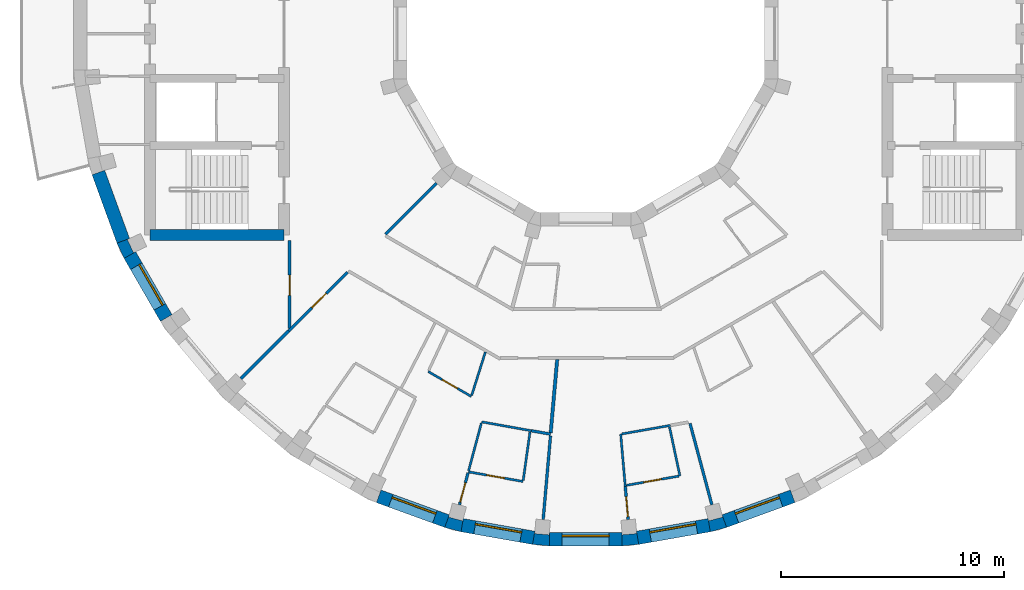
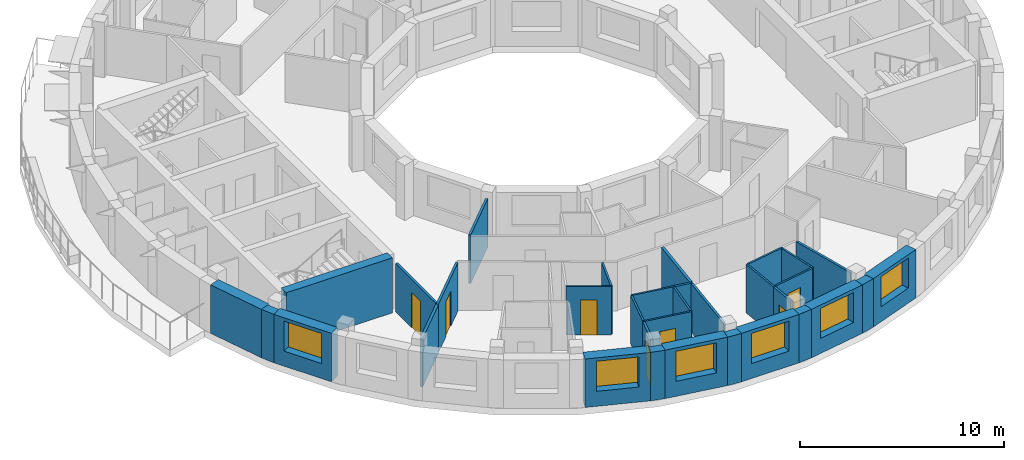
# One storey, part 2 of 10: 33 walls, 7 doors, 6 windows, 13 openings.
"""IFC4 building model written with IfcOpenShell, lengths in metres."""

from ifc_helpers import new_model, si_unit, direction, frame, frame_2d, origin, place, context, subcontext, project, spatial, polyline, rectangle, outline, extrude, material, layer, layer_set, type_object, element, fill, save


model = new_model("IFC4")

# Units and contexts
model_context = context("Model", 3, precision=1e-05, world=origin(), true_north=direction((0.0, 1.0)))
body_context = subcontext(model_context, "Body", "Model", "MODEL_VIEW")
ifc_project = project(units=[si_unit("LENGTHUNIT", "METRE"), si_unit("AREAUNIT", "SQUARE_METRE"), si_unit("VOLUMEUNIT", "CUBIC_METRE"), si_unit("PLANEANGLEUNIT", "RADIAN"), si_unit("MASSUNIT", "GRAM", prefix="KILO")], contexts=[model_context])

# Site, building, storey
site_placement = place(None, origin())
site = spatial("IfcSite", under=ifc_project, at=site_placement, CompositionType="ELEMENT")
building_placement = place(site_placement, origin())
building = spatial("IfcBuilding", under=site, at=building_placement, Name="Saqina Gate Tower", CompositionType="ELEMENT")
storey_placement = place(building_placement, frame((0.0, 0.0, 239.60009765625)))
storey = spatial("IfcBuildingStorey", under=building, at=storey_placement, Name="L68", CompositionType="ELEMENT", Elevation=239.60009765625)

# Walls
ifc_material_1 = material(Name="Brick masonry (buff)", Category="masonry")
wall_type_1 = type_object("IfcWallType", Name="BRICK PIER COPING BUFF", PredefinedType="SOLIDWALL", material=ifc_material_1)
wall_1_placement = place(storey_placement, origin())
element("IfcWall", 1, at=wall_1_placement, inside=storey, type_object=wall_type_1, Name="Pier cap L68 column 21", PredefinedType="SOLIDWALL", context=body_context, shape_type="SweptSolid", body=[
    extrude(outline(polyline([(-20.974609375, -9.3642578125), (-20.65576171875, -10.048095703125), (-20.135986328125, -9.748291015625), (-20.23193359375, -9.79296875), (-20.506591796875, -9.203857421875), (-20.410888671875, -9.1591796875), (-20.974609375, -9.3642578125)])), origin(), (0.0, 0.0, 1.0), 2.89990234375),
])
wall_2_placement = place(storey_placement, origin())
element("IfcWall", 2, at=wall_2_placement, inside=storey, type_object=wall_type_1, Name="Pier cap L68 column 26", PredefinedType="SOLIDWALL", context=body_context, shape_type="SweptSolid", body=[
    extrude(outline(polyline([(-5.579833984375, -22.281982421875), (-5.4755859375, -21.691162109375), (-5.5029296875, -21.793212890625), (-6.130859375, -21.625), (-6.103515625, -21.52294921875), (-6.30859375, -22.0869140625), (-5.579833984375, -22.281982421875)])), origin(), (0.0, 0.0, 1.0), 2.89990234375),
])
wall_3_placement = place(storey_placement, origin())
element("IfcWall", 3, at=wall_3_placement, inside=storey, type_object=wall_type_1, Name="Pier cap L68 column 27", PredefinedType="SOLIDWALL", context=body_context, shape_type="SweptSolid", body=[
    extrude(outline(polyline([(-2.377685546875, -22.8466796875), (-1.625732421875, -22.91259765625), (-1.625732421875, -22.3125), (-1.635009765625, -22.417724609375), (-2.28271484375, -22.361083984375), (-2.2734375, -22.255859375), (-2.377685546875, -22.8466796875)])), origin(), (0.0, 0.0, 1.0), 2.89990234375),
])
wall_4_placement = place(storey_placement, origin())
element("IfcWall", 4, at=wall_4_placement, inside=storey, type_object=wall_type_1, Name="Pier cap L68 column 28", PredefinedType="SOLIDWALL", context=body_context, shape_type="SweptSolid", body=[
    extrude(outline(polyline([(1.625732421875, -22.91259765625), (2.377685546875, -22.8466796875), (2.2734375, -22.255859375), (2.28271484375, -22.361083984375), (1.635009765625, -22.417724609375), (1.625732421875, -22.3125), (1.625732421875, -22.91259765625)])), origin(), (0.0, 0.0, 1.0), 2.89990234375),
])
wall_5_placement = place(storey_placement, origin())
element("IfcWall", 5, at=wall_5_placement, inside=storey, type_object=wall_type_1, Name="Pier cap L68 column 29", PredefinedType="SOLIDWALL", context=body_context, shape_type="SweptSolid", body=[
    extrude(outline(polyline([(6.30859375, -22.0869140625), (6.103515625, -21.52294921875), (6.130859375, -21.625), (5.5029296875, -21.793212890625), (5.4755859375, -21.691162109375), (5.579833984375, -22.281982421875), (6.30859375, -22.0869140625)])), origin(), (0.0, 0.0, 1.0), 2.89990234375),
])

# Wall, opening, window
ifc_material_2 = material(Name="Brick masonry (buff)", Category="masonry")
ifc_layer_1 = layer(ifc_material_2, 0.60009765625)
ifc_layer_set_1 = layer_set([ifc_layer_1], Name="FW-BRICK-BUFF")
wall_type_2 = type_object("IfcWallType", Name="FW-BRICK-BUFF", PredefinedType="SOLIDWALL", material=ifc_layer_set_1)
wall_6_placement = place(storey_placement, frame((-20.39599609375, -9.898193359375, 0.0), z_axis=(0.0, 0.0, 1.0), x_axis=(0.500014901547, -0.866016800201, 0.0)))
wall_6 = element("IfcWall", 6, at=wall_6_placement, inside=storey, type_object=wall_type_2, Name="Facade wall L68 facet 21", PredefinedType="SOLIDWALL", context=body_context, shape_type="SweptSolid", body=[
    extrude(rectangle(XDim=3.251953125, YDim=0.60009765625, at=frame_2d((1.6259765625, 0.0))), origin(), (0.0, 0.0, 1.0), 2.89990234375),
])
opening_1_placement = place(wall_6_placement, frame((0.57568359375, 0.0, 0.89990234375)))
opening_1 = element("IfcOpeningElement", 7, at=opening_1_placement, cuts=wall_6, Name="Opening G20-W12", PredefinedType="OPENING", context=body_context, shape_type="SweptSolid", body=[
    extrude(rectangle(XDim=2.10009765625, YDim=1.800048828125, at=frame_2d((1.050048828125, 0.89990234375))), frame((0.0, 0.31201171875, 0.0), z_axis=(0.0, -1.0, 0.0), x_axis=(1.0, 0.0, 0.0)), (0.0, 0.0, 1.0), 0.6240234375),
])
ifc_material_3 = material(Name="Aluminium glazing", Category="aluminium")
window_type = type_object("IfcWindowType", Name="WN-D", PartitioningType="SINGLE_PANEL", PredefinedType="WINDOW", material=ifc_material_3)
window_1_placement = place(opening_1_placement, origin())
window_1 = element("IfcWindow", 8, at=window_1_placement, inside=storey, type_object=window_type, Name="Window L68 facet 21", OverallHeight=1.800048828125, OverallWidth=2.10009765625, PartitioningType="SINGLE_PANEL", PredefinedType="WINDOW", context=body_context, shape_type="SweptSolid", body=[
    extrude(rectangle(XDim=2.10009765625, YDim=1.800048828125, at=frame_2d((1.050048828125, 0.89990234375))), frame((0.0, 0.179931640625, 0.0), z_axis=(0.0, -1.0, 0.0), x_axis=(1.0, 0.0, 0.0)), (0.0, 0.0, 1.0), 0.06005859375),
])
fill(opening_1, window_1)

wall_7_placement = place(storey_placement, frame((-9.26171875, -20.692626953125, 0.0), z_axis=(0.0, 0.0, 1.0), x_axis=(0.939679383794, -0.342056509473, 0.0)))
wall_7 = element("IfcWall", 9, at=wall_7_placement, inside=storey, type_object=wall_type_2, Name="Facade wall L68 facet 25", PredefinedType="SOLIDWALL", context=body_context, shape_type="SweptSolid", body=[
    extrude(rectangle(XDim=3.251708984375, YDim=0.60009765625, at=frame_2d((1.6259765625, 0.0))), origin(), (0.0, 0.0, 1.0), 2.89990234375),
])
opening_2_placement = place(wall_7_placement, frame((0.57568359375, 0.0, 0.89990234375)))
opening_2 = element("IfcOpeningElement", 10, at=opening_2_placement, cuts=wall_7, Name="Opening G20-W16", PredefinedType="OPENING", context=body_context, shape_type="SweptSolid", body=[
    extrude(rectangle(XDim=2.10009765625, YDim=1.800048828125, at=frame_2d((1.050048828125, 0.89990234375))), frame((0.0, 0.31201171875, 0.0), z_axis=(0.0, -1.0, 0.0), x_axis=(1.0, 0.0, 0.0)), (0.0, 0.0, 1.0), 0.6240234375),
])
window_2_placement = place(opening_2_placement, origin())
window_2 = element("IfcWindow", 11, at=window_2_placement, inside=storey, type_object=window_type, Name="Window L68 facet 25", OverallHeight=1.800048828125, OverallWidth=2.10009765625, PartitioningType="SINGLE_PANEL", PredefinedType="WINDOW", context=body_context, shape_type="SweptSolid", body=[
    extrude(rectangle(XDim=2.10009765625, YDim=1.800048828125, at=frame_2d((1.050048828125, 0.89990234375))), frame((0.0, 0.179931640625, 0.0), z_axis=(0.0, -1.0, 0.0), x_axis=(1.0, 0.0, 0.0)), (0.0, 0.0, 1.0), 0.06005859375),
])
fill(opening_2, window_2)

wall_8_placement = place(storey_placement, frame((-5.52783203125, -21.986572265625, 0.0), z_axis=(0.0, 0.0, 1.0), x_axis=(0.984806225186, -0.173656842178, 0.0)))
wall_8 = element("IfcWall", 12, at=wall_8_placement, inside=storey, type_object=wall_type_2, Name="Facade wall L68 facet 26", PredefinedType="SOLIDWALL", context=body_context, shape_type="SweptSolid", body=[
    extrude(rectangle(XDim=3.251708984375, YDim=0.60009765625, at=frame_2d((1.6259765625, 0.0))), origin(), (0.0, 0.0, 1.0), 2.89990234375),
])
opening_3_placement = place(wall_8_placement, frame((0.57568359375, 0.0, 0.89990234375)))
opening_3 = element("IfcOpeningElement", 13, at=opening_3_placement, cuts=wall_8, Name="Opening G20-W17", PredefinedType="OPENING", context=body_context, shape_type="SweptSolid", body=[
    extrude(rectangle(XDim=2.10009765625, YDim=1.800048828125, at=frame_2d((1.050048828125, 0.89990234375))), frame((0.0, 0.31201171875, 0.0), z_axis=(0.0, -1.0, 0.0), x_axis=(1.0, 0.0, 0.0)), (0.0, 0.0, 1.0), 0.6240234375),
])
window_3_placement = place(opening_3_placement, origin())
window_3 = element("IfcWindow", 14, at=window_3_placement, inside=storey, type_object=window_type, Name="Window L68 facet 26", OverallHeight=1.800048828125, OverallWidth=2.10009765625, PartitioningType="SINGLE_PANEL", PredefinedType="WINDOW", context=body_context, shape_type="SweptSolid", body=[
    extrude(rectangle(XDim=2.10009765625, YDim=1.800048828125, at=frame_2d((1.050048828125, 0.89990234375))), frame((0.0, 0.179931640625, 0.0), z_axis=(0.0, -1.0, 0.0), x_axis=(1.0, 0.0, 0.0)), (0.0, 0.0, 1.0), 0.06005859375),
])
fill(opening_3, window_3)

wall_9_placement = place(storey_placement, frame((-1.625732421875, -22.612548828125, 0.0), z_axis=(0.0, 0.0, 1.0), x_axis=(1.0, 0.0, 0.0)))
wall_9 = element("IfcWall", 15, at=wall_9_placement, inside=storey, type_object=wall_type_2, Name="Facade wall L68 facet 27", PredefinedType="SOLIDWALL", context=body_context, shape_type="SweptSolid", body=[
    extrude(rectangle(XDim=3.25146484375, YDim=0.60009765625, at=frame_2d((1.625732421875, 0.0))), origin(), (0.0, 0.0, 1.0), 2.89990234375),
])
opening_4_placement = place(wall_9_placement, frame((0.57568359375, 0.0, 0.89990234375)))
opening_4 = element("IfcOpeningElement", 16, at=opening_4_placement, cuts=wall_9, Name="Opening G20-W18", PredefinedType="OPENING", context=body_context, shape_type="SweptSolid", body=[
    extrude(rectangle(XDim=2.10009765625, YDim=1.800048828125, at=frame_2d((1.050048828125, 0.89990234375))), frame((0.0, 0.31201171875, 0.0), z_axis=(0.0, -1.0, 0.0), x_axis=(1.0, 0.0, 0.0)), (0.0, 0.0, 1.0), 0.6240234375),
])
window_4_placement = place(opening_4_placement, origin())
window_4 = element("IfcWindow", 17, at=window_4_placement, inside=storey, type_object=window_type, Name="Window L68 facet 27", OverallHeight=1.800048828125, OverallWidth=2.10009765625, PartitioningType="SINGLE_PANEL", PredefinedType="WINDOW", context=body_context, shape_type="SweptSolid", body=[
    extrude(rectangle(XDim=2.10009765625, YDim=1.800048828125, at=frame_2d((1.050048828125, 0.89990234375))), frame((0.0, 0.179931640625, 0.0), z_axis=(0.0, -1.0, 0.0), x_axis=(1.0, 0.0, 0.0)), (0.0, 0.0, 1.0), 0.06005859375),
])
fill(opening_4, window_4)

wall_10_placement = place(storey_placement, frame((2.325439453125, -22.55126953125, 0.0), z_axis=(0.0, 0.0, 1.0), x_axis=(0.984806225186, 0.173656842178, 0.0)))
wall_10 = element("IfcWall", 18, at=wall_10_placement, inside=storey, type_object=wall_type_2, Name="Facade wall L68 facet 28", PredefinedType="SOLIDWALL", context=body_context, shape_type="SweptSolid", body=[
    extrude(rectangle(XDim=3.251708984375, YDim=0.60009765625, at=frame_2d((1.6259765625, 0.0))), origin(), (0.0, 0.0, 1.0), 2.89990234375),
])
opening_5_placement = place(wall_10_placement, frame((0.57568359375, 0.0, 0.89990234375)))
opening_5 = element("IfcOpeningElement", 19, at=opening_5_placement, cuts=wall_10, Name="Opening G20-W19", PredefinedType="OPENING", context=body_context, shape_type="SweptSolid", body=[
    extrude(rectangle(XDim=2.10009765625, YDim=1.800048828125, at=frame_2d((1.050048828125, 0.89990234375))), frame((0.0, 0.31201171875, 0.0), z_axis=(0.0, -1.0, 0.0), x_axis=(1.0, 0.0, 0.0)), (0.0, 0.0, 1.0), 0.6240234375),
])
window_5_placement = place(opening_5_placement, origin())
window_5 = element("IfcWindow", 20, at=window_5_placement, inside=storey, type_object=window_type, Name="Window L68 facet 28", OverallHeight=1.800048828125, OverallWidth=2.10009765625, PartitioningType="SINGLE_PANEL", PredefinedType="WINDOW", context=body_context, shape_type="SweptSolid", body=[
    extrude(rectangle(XDim=2.10009765625, YDim=1.800048828125, at=frame_2d((1.050048828125, 0.89990234375))), frame((0.0, 0.179931640625, 0.0), z_axis=(0.0, -1.0, 0.0), x_axis=(1.0, 0.0, 0.0)), (0.0, 0.0, 1.0), 0.06005859375),
])
fill(opening_5, window_5)

wall_11_placement = place(storey_placement, frame((6.2060546875, -21.804931640625, 0.0), z_axis=(0.0, 0.0, 1.0), x_axis=(0.939679383794, 0.342056509473, 0.0)))
wall_11 = element("IfcWall", 21, at=wall_11_placement, inside=storey, type_object=wall_type_2, Name="Facade wall L68 facet 29", PredefinedType="SOLIDWALL", context=body_context, shape_type="SweptSolid", body=[
    extrude(rectangle(XDim=3.251708984375, YDim=0.60009765625, at=frame_2d((1.6259765625, 0.0))), origin(), (0.0, 0.0, 1.0), 2.89990234375),
])
opening_6_placement = place(wall_11_placement, frame((0.57568359375, 0.0, 0.89990234375)))
opening_6 = element("IfcOpeningElement", 22, at=opening_6_placement, cuts=wall_11, Name="Opening G20-W20", PredefinedType="OPENING", context=body_context, shape_type="SweptSolid", body=[
    extrude(rectangle(XDim=2.10009765625, YDim=1.800048828125, at=frame_2d((1.050048828125, 0.89990234375))), frame((0.0, 0.31201171875, 0.0), z_axis=(0.0, -1.0, 0.0), x_axis=(1.0, 0.0, 0.0)), (0.0, 0.0, 1.0), 0.6240234375),
])
window_6_placement = place(opening_6_placement, origin())
window_6 = element("IfcWindow", 23, at=window_6_placement, inside=storey, type_object=window_type, Name="Window L68 facet 29", OverallHeight=1.800048828125, OverallWidth=2.10009765625, PartitioningType="SINGLE_PANEL", PredefinedType="WINDOW", context=body_context, shape_type="SweptSolid", body=[
    extrude(rectangle(XDim=2.10009765625, YDim=1.800048828125, at=frame_2d((1.050048828125, 0.89990234375))), frame((0.0, 0.179931640625, 0.0), z_axis=(0.0, -1.0, 0.0), x_axis=(1.0, 0.0, 0.0)), (0.0, 0.0, 1.0), 0.06005859375),
])
fill(opening_6, window_6)

# Walls
ifc_material_4 = material(Name="Glazed ceramic tile (white)", Category="ceramic")
ifc_layer_2 = layer(ifc_material_4, 0.60009765625)
ifc_layer_set_2 = layer_set([ifc_layer_2], Name="FW-TILE-WH")
wall_type_3 = type_object("IfcWallType", Name="FW-TILE-WH", PredefinedType="SOLIDWALL", material=ifc_layer_set_2)
wall_12_placement = place(storey_placement, frame((-21.804931640625, -6.2060546875, 0.0), z_axis=(0.0, 0.0, 1.0), x_axis=(0.342056509473, -0.939679383794, 0.0)))
element("IfcWall", 24, at=wall_12_placement, inside=storey, type_object=wall_type_3, Name="Facade wall L68 facet 20", PredefinedType="SOLIDWALL", context=body_context, shape_type="SweptSolid", body=[
    extrude(rectangle(XDim=3.251708984375, YDim=0.60009765625, at=frame_2d((1.6259765625, 0.0))), origin(), (0.0, 0.0, 1.0), 2.89990234375),
])
ifc_material_5 = material(Name="Gypsum board on steel studs, 100 mm", Category="steel")
ifc_layer_3 = layer(ifc_material_5, 0.10009765625)
ifc_layer_set_3 = layer_set([ifc_layer_3], Name="PARTITION 100")
wall_type_4 = type_object("IfcWallType", Name="PARTITION 100", PredefinedType="PARTITIONING", material=ifc_layer_set_3)
wall_13_placement = place(storey_placement, frame((1.567138671875, -17.9130859375, 0.0), z_axis=(0.0, 0.0, 1.0), x_axis=(0.087089873779, -0.996200458685, 0.0)))
element("IfcWall", 25, at=wall_13_placement, inside=storey, type_object=wall_type_4, Name="PARTITION PW3-01", PredefinedType="PARTITIONING", context=body_context, shape_type="SweptSolid", body=[
    extrude(rectangle(XDim=2.357666015625, YDim=0.10009765625, at=frame_2d((1.1787109375, 0.0))), origin(), (0.0, 0.0, 1.0), 2.89990234375),
])
wall_14_placement = place(storey_placement, frame((3.7509765625, -17.59130859375, 0.0), z_axis=(0.0, 0.0, 1.0), x_axis=(0.208598143884, -0.978001438837, 0.0)))
element("IfcWall", 26, at=wall_14_placement, inside=storey, type_object=wall_type_4, Name="PARTITION PW3-05", PredefinedType="PARTITIONING", context=body_context, shape_type="SweptSolid", body=[
    extrude(rectangle(XDim=2.239013671875, YDim=0.10009765625, at=frame_2d((1.11962890625, 0.0))), origin(), (0.0, 0.0, 1.0), 2.89990234375),
])

# Wall, opening, door
wall_15_placement = place(storey_placement, frame((-7.047119140625, -15.111083984375, 0.0), z_axis=(0.0, 0.0, 1.0), x_axis=(0.866015874633, -0.500016504612, 0.0)))
wall_15 = element("IfcWall", 27, at=wall_15_placement, inside=storey, type_object=wall_type_4, Name="PARTITION PW3-18", PredefinedType="PARTITIONING", context=body_context, shape_type="SweptSolid", body=[
    extrude(rectangle(XDim=2.22802734375, YDim=0.10009765625, at=frame_2d((1.114013671875, 0.0))), origin(), (0.0, 0.0, 1.0), 2.89990234375),
])
opening_7_placement = place(wall_15_placement, frame((0.71484375, 0.0, 0.0)))
opening_7 = element("IfcOpeningElement", 28, at=opening_7_placement, cuts=wall_15, Name="Opening G20-D27", PredefinedType="OPENING", context=body_context, shape_type="SweptSolid", body=[
    extrude(rectangle(XDim=0.800048828125, YDim=2.10009765625, at=frame_2d((0.39990234375, 1.050048828125))), frame((0.0, 0.06201171875, 0.0), z_axis=(0.0, -1.0, 0.0), x_axis=(1.0, 0.0, 0.0)), (0.0, 0.0, 1.0), 0.1240234375),
])
ifc_material_6 = material(Name="Timber door leaf, 800 mm", Category="wood")
door_type_1 = type_object("IfcDoorType", Name="DOOR 800 TIMBER", OperationType="SINGLE_SWING_LEFT", PredefinedType="DOOR", material=ifc_material_6)
door_1_placement = place(opening_7_placement, frame((0.800048828125, 0.0, 0.0), z_axis=(0.0, 0.0, 1.0), x_axis=(-1.0, 0.0, 0.0)))
door_1 = element("IfcDoor", 29, at=door_1_placement, inside=storey, type_object=door_type_1, Name="DOOR G20-D27", OperationType="SINGLE_SWING_LEFT", OverallHeight=2.10009765625, OverallWidth=0.800048828125, PredefinedType="DOOR", context=body_context, shape_type="SweptSolid", body=[
    extrude(rectangle(XDim=0.800048828125, YDim=2.10009765625, at=frame_2d((0.39990234375, 1.050048828125))), frame((0.0, 0.02490234375, 0.0), z_axis=(0.0, -1.0, 0.0), x_axis=(1.0, 0.0, 0.0)), (0.0, 0.0, 1.0), 0.050048828125),
])
fill(opening_7, door_1)

# Wall
wall_16_placement = place(storey_placement, frame((-4.65185546875, -17.362060546875, 0.0), z_axis=(0.0, 0.0, 1.0), x_axis=(0.984302107819, -0.176491814379, 0.0)))
element("IfcWall", 30, at=wall_16_placement, inside=storey, type_object=wall_type_4, Name="PARTITION PW3-21", PredefinedType="PARTITIONING", context=body_context, shape_type="SweptSolid", body=[
    extrude(rectangle(XDim=2.25341796875, YDim=0.10009765625, at=frame_2d((1.126708984375, 0.0))), origin(), (0.0, 0.0, 1.0), 2.89990234375),
])

# Wall, opening, door
wall_17_placement = place(storey_placement, frame((-5.2509765625, -19.597900390625, 0.0), z_axis=(0.0, 0.0, 1.0), x_axis=(0.984786523671, -0.17376853224, 0.0)))
wall_17 = element("IfcWall", 31, at=wall_17_placement, inside=storey, type_object=wall_type_4, Name="PARTITION PW3-22", PredefinedType="PARTITIONING", context=body_context, shape_type="SweptSolid", body=[
    extrude(rectangle(XDim=2.48681640625, YDim=0.10009765625, at=frame_2d((1.243408203125, 0.0))), origin(), (0.0, 0.0, 1.0), 2.89990234375),
])
opening_8_placement = place(wall_17_placement, frame((0.843505859375, 0.0, 0.0)))
opening_8 = element("IfcOpeningElement", 32, at=opening_8_placement, cuts=wall_17, Name="Opening G20-D29", PredefinedType="OPENING", context=body_context, shape_type="SweptSolid", body=[
    extrude(rectangle(XDim=0.800048828125, YDim=2.10009765625, at=frame_2d((0.39990234375, 1.050048828125))), frame((0.0, 0.06201171875, 0.0), z_axis=(0.0, -1.0, 0.0), x_axis=(1.0, 0.0, 0.0)), (0.0, 0.0, 1.0), 0.1240234375),
])
door_2_placement = place(opening_8_placement, frame((0.800048828125, 0.0, 0.0), z_axis=(0.0, 0.0, 1.0), x_axis=(-1.0, 0.0, 0.0)))
door_2 = element("IfcDoor", 33, at=door_2_placement, inside=storey, type_object=door_type_1, Name="DOOR G20-D29", OperationType="SINGLE_SWING_RIGHT", OverallHeight=2.10009765625, OverallWidth=0.800048828125, PredefinedType="DOOR", context=body_context, shape_type="SweptSolid", body=[
    extrude(rectangle(XDim=0.800048828125, YDim=2.10009765625, at=frame_2d((0.39990234375, 1.050048828125))), frame((0.0, 0.02490234375, 0.0), z_axis=(0.0, -1.0, 0.0), x_axis=(1.0, 0.0, 0.0)), (0.0, 0.0, 1.0), 0.050048828125),
])
fill(opening_8, door_2)

wall_18_placement = place(storey_placement, frame((1.82958984375, -20.201171875, 0.0), z_axis=(0.0, 0.0, 1.0), x_axis=(0.984867266046, 0.173310323615, 0.0)))
wall_18 = element("IfcWall", 34, at=wall_18_placement, inside=storey, type_object=wall_type_4, Name="PARTITION PW3-28", PredefinedType="PARTITIONING", context=body_context, shape_type="SweptSolid", body=[
    extrude(rectangle(XDim=2.375, YDim=0.10009765625, at=frame_2d((1.1875, 0.0))), origin(), (0.0, 0.0, 1.0), 2.89990234375),
])
opening_9_placement = place(wall_18_placement, frame((0.78125, 0.0, 0.0)))
opening_9 = element("IfcOpeningElement", 35, at=opening_9_placement, cuts=wall_18, Name="Opening G20-D35", PredefinedType="OPENING", context=body_context, shape_type="SweptSolid", body=[
    extrude(rectangle(XDim=0.800048828125, YDim=2.10009765625, at=frame_2d((0.39990234375, 1.050048828125))), frame((0.0, 0.06201171875, 0.0), z_axis=(0.0, -1.0, 0.0), x_axis=(1.0, 0.0, 0.0)), (0.0, 0.0, 1.0), 0.1240234375),
])
door_3_placement = place(opening_9_placement, frame((0.800048828125, 0.0, 0.0), z_axis=(0.0, 0.0, 1.0), x_axis=(-1.0, 0.0, 0.0)))
door_3 = element("IfcDoor", 36, at=door_3_placement, inside=storey, type_object=door_type_1, Name="DOOR G20-D35", OperationType="SINGLE_SWING_RIGHT", OverallHeight=2.10009765625, OverallWidth=0.800048828125, PredefinedType="DOOR", context=body_context, shape_type="SweptSolid", body=[
    extrude(rectangle(XDim=0.800048828125, YDim=2.10009765625, at=frame_2d((0.39990234375, 1.050048828125))), frame((0.0, 0.02490234375, 0.0), z_axis=(0.0, -1.0, 0.0), x_axis=(1.0, 0.0, 0.0)), (0.0, 0.0, 1.0), 0.050048828125),
])
fill(opening_9, door_3)

# Walls
wall_19_placement = place(storey_placement, frame((1.6162109375, -17.9033203125, 0.0), z_axis=(0.0, 0.0, 1.0), x_axis=(0.984865950047, 0.173317801847, 0.0)))
element("IfcWall", 37, at=wall_19_placement, inside=storey, type_object=wall_type_4, Name="PARTITION PW3-29", PredefinedType="PARTITIONING", context=body_context, shape_type="SweptSolid", body=[
    extrude(rectangle(XDim=2.20458984375, YDim=0.10009765625, at=frame_2d((1.102294921875, 0.0))), origin(), (0.0, 0.0, 1.0), 2.89990234375),
])
wall_20_placement = place(storey_placement, frame((-5.100341796875, -16.17626953125, 0.0), z_axis=(0.0, 0.0, 1.0), x_axis=(0.300861627233, 0.953667804457, 0.0)))
element("IfcWall", 38, at=wall_20_placement, inside=storey, type_object=wall_type_4, Name="PARTITION PW3-47", PredefinedType="PARTITIONING", context=body_context, shape_type="SweptSolid", body=[
    extrude(rectangle(XDim=2.035888671875, YDim=0.10009765625, at=frame_2d((1.01806640625, 0.0))), origin(), (0.0, 0.0, 1.0), 2.89990234375),
])
wall_21_placement = place(storey_placement, frame((-5.238037109375, -19.5498046875, 0.0), z_axis=(0.0, 0.0, 1.0), x_axis=(0.258653207269, 0.965970247145, 0.0)))
element("IfcWall", 39, at=wall_21_placement, inside=storey, type_object=wall_type_4, Name="PARTITION PW3-48", PredefinedType="PARTITIONING", context=body_context, shape_type="SweptSolid", body=[
    extrude(rectangle(XDim=2.208740234375, YDim=0.10009765625, at=frame_2d((1.1044921875, 0.0))), origin(), (0.0, 0.0, 1.0), 2.89990234375),
])
wall_22_placement = place(storey_placement, frame((-2.795166015625, -19.98046875, 0.0), z_axis=(0.0, 0.0, 1.0), x_axis=(0.138656596978, 0.990340521293, 0.0)))
element("IfcWall", 40, at=wall_22_placement, inside=storey, type_object=wall_type_4, Name="PARTITION PW3-50", PredefinedType="PARTITIONING", context=body_context, shape_type="SweptSolid", body=[
    extrude(rectangle(XDim=2.188720703125, YDim=0.10009765625, at=frame_2d((1.09423828125, 0.0))), origin(), (0.0, 0.0, 1.0), 2.89990234375),
])

# Wall, opening, door
ifc_material_7 = material(Name="Gypsum board on steel studs, 125 mm, fire rated", Category="steel")
ifc_layer_4 = layer(ifc_material_7, 0.125)
ifc_layer_set_4 = layer_set([ifc_layer_4], Name="PARTITION EI 30 125")
wall_type_5 = type_object("IfcWallType", Name="PARTITION EI 30 125", PredefinedType="PARTITIONING", material=ifc_layer_set_4)
wall_23_placement = place(storey_placement, frame((1.772705078125, -20.26171875, 0.0), z_axis=(0.0, 0.0, 1.0), x_axis=(0.087179262922, -0.996192640063, 0.0)))
wall_23 = element("IfcWall", 41, at=wall_23_placement, inside=storey, type_object=wall_type_5, Name="PARTITION PW1-02", PredefinedType="PARTITIONING", context=body_context, shape_type="SweptSolid", body=[
    extrude(rectangle(XDim=1.475830078125, YDim=0.125, at=frame_2d((0.73779296875, 0.0))), origin(), (0.0, 0.0, 1.0), 2.89990234375),
])
opening_10_placement = place(wall_23_placement, frame((0.4541015625, 0.0, 0.0)))
opening_10 = element("IfcOpeningElement", 42, at=opening_10_placement, cuts=wall_23, Name="Opening G20-D33", PredefinedType="OPENING", context=body_context, shape_type="SweptSolid", body=[
    extrude(rectangle(XDim=0.89990234375, YDim=2.10009765625, at=frame_2d((0.449951171875, 1.050048828125))), frame((0.0, 0.074462890625, 0.0), z_axis=(0.0, -1.0, 0.0), x_axis=(1.0, 0.0, 0.0)), (0.0, 0.0, 1.0), 0.14892578125),
])
ifc_material_8 = material(Name="Fire door leaf EI 30, 900 mm")
door_type_2 = type_object("IfcDoorType", Name="DOOR 900 EI 30", OperationType="SINGLE_SWING_LEFT", PredefinedType="DOOR", material=ifc_material_8)
door_4_placement = place(opening_10_placement, frame((0.89990234375, 0.0, 0.0), z_axis=(0.0, 0.0, 1.0), x_axis=(-1.0, 0.0, 0.0)))
door_4 = element("IfcDoor", 43, at=door_4_placement, inside=storey, type_object=door_type_2, Name="DOOR G20-D33", OperationType="SINGLE_SWING_RIGHT", OverallHeight=2.10009765625, OverallWidth=0.89990234375, PredefinedType="DOOR", context=body_context, shape_type="SweptSolid", body=[
    extrude(rectangle(XDim=0.89990234375, YDim=2.10009765625, at=frame_2d((0.449951171875, 1.050048828125))), frame((0.0, 0.02490234375, 0.0), z_axis=(0.0, -1.0, 0.0), x_axis=(1.0, 0.0, 0.0)), (0.0, 0.0, 1.0), 0.050048828125),
])
fill(opening_10, door_4)

# Walls
wall_24_placement = place(storey_placement, frame((4.66845703125, -17.428955078125, 0.0), z_axis=(0.0, 0.0, 1.0), x_axis=(0.259314134335, -0.965793031521, 0.0)))
element("IfcWall", 44, at=wall_24_placement, inside=storey, type_object=wall_type_5, Name="PARTITION PW1-03", PredefinedType="PARTITIONING", context=body_context, shape_type="SweptSolid", body=[
    extrude(rectangle(XDim=3.771484375, YDim=0.125, at=frame_2d((1.8857421875, 0.0))), origin(), (0.0, 0.0, 1.0), 2.89990234375),
])
wall_25_placement = place(storey_placement, frame((-2.433837890625, -17.759765625, 0.0), z_axis=(0.0, 0.0, 1.0), x_axis=(0.984908951539, -0.173073271124, 0.0)))
element("IfcWall", 45, at=wall_25_placement, inside=storey, type_object=wall_type_5, Name="PARTITION PW1-16", PredefinedType="PARTITIONING", context=body_context, shape_type="SweptSolid", body=[
    extrude(rectangle(XDim=0.880126953125, YDim=0.125, at=frame_2d((0.43994140625, 0.0))), origin(), (0.0, 0.0, 1.0), 2.89990234375),
])

# Wall, opening, door
wall_26_placement = place(storey_placement, frame((-13.294189453125, -13.294189453125, 0.0), z_axis=(0.0, 0.0, 1.0), x_axis=(0.707106781187, 0.707106781187, 0.0)))
wall_26 = element("IfcWall", 46, at=wall_26_placement, inside=storey, type_object=wall_type_5, Name="PARTITION PW1-29", PredefinedType="PARTITIONING", context=body_context, shape_type="SweptSolid", body=[
    extrude(rectangle(XDim=3.716552734375, YDim=0.125, at=frame_2d((1.8583984375, 0.0))), origin(), (0.0, 0.0, 1.0), 2.89990234375),
])
opening_11_placement = place(wall_26_placement, frame((1.470703125, 0.0, 0.0)))
opening_11 = element("IfcOpeningElement", 47, at=opening_11_placement, cuts=wall_26, Name="Opening G20-D21", PredefinedType="OPENING", context=body_context, shape_type="SweptSolid", body=[
    extrude(rectangle(XDim=0.89990234375, YDim=2.10009765625, at=frame_2d((0.449951171875, 1.050048828125))), frame((0.0, 0.074462890625, 0.0), z_axis=(0.0, -1.0, 0.0), x_axis=(1.0, 0.0, 0.0)), (0.0, 0.0, 1.0), 0.14892578125),
])
door_5_placement = place(opening_11_placement, frame((0.89990234375, 0.0, 0.0), z_axis=(0.0, 0.0, 1.0), x_axis=(-1.0, 0.0, 0.0)))
door_5 = element("IfcDoor", 48, at=door_5_placement, inside=storey, type_object=door_type_2, Name="DOOR G20-D21", OperationType="SINGLE_SWING_LEFT", OverallHeight=2.10009765625, OverallWidth=0.89990234375, PredefinedType="DOOR", context=body_context, shape_type="SweptSolid", body=[
    extrude(rectangle(XDim=0.89990234375, YDim=2.10009765625, at=frame_2d((0.449951171875, 1.050048828125))), frame((0.0, 0.02490234375, 0.0), z_axis=(0.0, -1.0, 0.0), x_axis=(1.0, 0.0, 0.0)), (0.0, 0.0, 1.0), 0.050048828125),
])
fill(opening_11, door_5)

# Wall
wall_27_placement = place(storey_placement, frame((-8.9677734375, -8.9677734375, 0.0), z_axis=(0.0, 0.0, 1.0), x_axis=(0.707106781187, 0.707106781187, 0.0)))
element("IfcWall", 49, at=wall_27_placement, inside=storey, type_object=wall_type_5, Name="PARTITION PW1-30", PredefinedType="PARTITIONING", context=body_context, shape_type="SweptSolid", body=[
    extrude(rectangle(XDim=3.239990234375, YDim=0.125, at=frame_2d((1.6201171875, 0.0))), origin(), (0.0, 0.0, 1.0), 2.89990234375),
])

# Wall, opening, door
wall_28_placement = place(storey_placement, frame((-5.646484375, -21.071533203125, 0.0), z_axis=(0.0, 0.0, 1.0), x_axis=(0.259237722608, 0.965813544726, 0.0)))
wall_28 = element("IfcWall", 50, at=wall_28_placement, inside=storey, type_object=wall_type_5, Name="PARTITION PW1-35", PredefinedType="PARTITIONING", context=body_context, shape_type="SweptSolid", body=[
    extrude(rectangle(XDim=1.475830078125, YDim=0.125, at=frame_2d((0.73779296875, 0.0))), origin(), (0.0, 0.0, 1.0), 2.89990234375),
])
opening_12_placement = place(wall_28_placement, frame((0.122314453125, 0.0, 0.0)))
opening_12 = element("IfcOpeningElement", 51, at=opening_12_placement, cuts=wall_28, Name="Opening G20-D28", PredefinedType="OPENING", context=body_context, shape_type="SweptSolid", body=[
    extrude(rectangle(XDim=0.89990234375, YDim=2.10009765625, at=frame_2d((0.449951171875, 1.050048828125))), frame((0.0, 0.074462890625, 0.0), z_axis=(0.0, -1.0, 0.0), x_axis=(1.0, 0.0, 0.0)), (0.0, 0.0, 1.0), 0.14892578125),
])
door_6_placement = place(opening_12_placement, origin())
door_6 = element("IfcDoor", 52, at=door_6_placement, inside=storey, type_object=door_type_2, Name="DOOR G20-D28", OperationType="SINGLE_SWING_LEFT", OverallHeight=2.10009765625, OverallWidth=0.89990234375, PredefinedType="DOOR", context=body_context, shape_type="SweptSolid", body=[
    extrude(rectangle(XDim=0.89990234375, YDim=2.10009765625, at=frame_2d((0.449951171875, 1.050048828125))), frame((0.0, 0.02490234375, 0.0), z_axis=(0.0, -1.0, 0.0), x_axis=(1.0, 0.0, 0.0)), (0.0, 0.0, 1.0), 0.050048828125),
])
fill(opening_12, door_6)

# Wall
wall_29_placement = place(storey_placement, frame((-1.901611328125, -21.73193359375, 0.0), z_axis=(0.0, 0.0, 1.0), x_axis=(0.087279731719, 0.996183842687, 0.0)))
element("IfcWall", 53, at=wall_29_placement, inside=storey, type_object=wall_type_5, Name="PARTITION PW1-37", PredefinedType="PARTITIONING", context=body_context, shape_type="SweptSolid", body=[
    extrude(rectangle(XDim=3.759521484375, YDim=0.125, at=frame_2d((1.8798828125, 0.0))), origin(), (0.0, 0.0, 1.0), 2.89990234375),
])

# Wall, opening, door
wall_30_placement = place(storey_placement, frame((-13.25, -13.175048828125, 0.0), z_axis=(0.0, 0.0, 1.0), x_axis=(0.0, 1.0, 0.0)))
wall_30 = element("IfcWall", 54, at=wall_30_placement, inside=storey, type_object=wall_type_5, Name="PARTITION PW1-41", PredefinedType="PARTITIONING", context=body_context, shape_type="SweptSolid", body=[
    extrude(rectangle(XDim=3.925048828125, YDim=0.125, at=frame_2d((1.96240234375, 0.0))), origin(), (0.0, 0.0, 1.0), 2.89990234375),
])
opening_13_placement = place(wall_30_placement, frame((1.47509765625, 0.0, 0.0)))
opening_13 = element("IfcOpeningElement", 55, at=opening_13_placement, cuts=wall_30, Name="Opening G20-D20", PredefinedType="OPENING", context=body_context, shape_type="SweptSolid", body=[
    extrude(rectangle(XDim=0.89990234375, YDim=2.10009765625, at=frame_2d((0.449951171875, 1.050048828125))), frame((0.0, 0.074462890625, 0.0), z_axis=(0.0, -1.0, 0.0), x_axis=(1.0, 0.0, 0.0)), (0.0, 0.0, 1.0), 0.14892578125),
])
door_7_placement = place(opening_13_placement, origin())
door_7 = element("IfcDoor", 56, at=door_7_placement, inside=storey, type_object=door_type_2, Name="DOOR G20-D20", OperationType="SINGLE_SWING_LEFT", OverallHeight=2.10009765625, OverallWidth=0.89990234375, PredefinedType="DOOR", context=body_context, shape_type="SweptSolid", body=[
    extrude(rectangle(XDim=0.89990234375, YDim=2.10009765625, at=frame_2d((0.449951171875, 1.050048828125))), frame((0.0, 0.02490234375, 0.0), z_axis=(0.0, -1.0, 0.0), x_axis=(1.0, 0.0, 0.0)), (0.0, 0.0, 1.0), 0.050048828125),
])
fill(opening_13, door_7)

# Walls
ifc_material_9 = material(Name="Gypsum board on steel studs, 150 mm, fire rated", Category="steel")
ifc_layer_5 = layer(ifc_material_9, 0.14990234375)
ifc_layer_set_5 = layer_set([ifc_layer_5], Name="PARTITION EI 60 150")
wall_type_6 = type_object("IfcWallType", Name="PARTITION EI 60 150", PredefinedType="PARTITIONING", material=ifc_layer_set_5)
wall_31_placement = place(storey_placement, frame((-15.425537109375, -15.425537109375, 0.0), z_axis=(0.0, 0.0, 1.0), x_axis=(0.707106781187, 0.707106781187, 0.0)))
element("IfcWall", 57, at=wall_31_placement, inside=storey, type_object=wall_type_6, Name="PARTITION PW2-04", PredefinedType="PARTITIONING", context=body_context, shape_type="SweptSolid", body=[
    extrude(rectangle(XDim=3.01416015625, YDim=0.14990234375, at=frame_2d((1.507080078125, 0.0))), origin(), (0.0, 0.0, 1.0), 2.89990234375),
])
wall_32_placement = place(storey_placement, frame((-1.5654296875, -17.849365234375, 0.0), z_axis=(0.0, 0.0, 1.0), x_axis=(0.088454711903, 0.996080199553, 0.0)))
element("IfcWall", 58, at=wall_32_placement, inside=storey, type_object=wall_type_6, Name="PARTITION PW2-08", PredefinedType="PARTITIONING", context=body_context, shape_type="SweptSolid", body=[
    extrude(rectangle(XDim=3.2900390625, YDim=0.14990234375, at=frame_2d((1.64501953125, 0.0))), origin(), (0.0, 0.0, 1.0), 2.89990234375),
])
ifc_material_10 = material(Name="Concrete C60/75", Category="concrete")
ifc_layer_6 = layer(ifc_material_10, 0.5)
ifc_layer_set_6 = layer_set([ifc_layer_6], Name="Concrete C60/75")
wall_type_7 = type_object("IfcWallType", Name="STR-CORE WALL-D-O", PredefinedType="SHEAR", material=ifc_layer_set_6)
wall_33_placement = place(storey_placement, frame((-13.5, -9.0, 0.0), z_axis=(0.0, 0.0, 1.0), x_axis=(-1.0, 0.0, 0.0)))
element("IfcWall", 59, at=wall_33_placement, inside=storey, type_object=wall_type_7, Name="CORE WALL L68 W-SE", PredefinedType="SHEAR", context=body_context, shape_type="SweptSolid", body=[
    extrude(rectangle(XDim=6.0, YDim=0.5, at=frame_2d((3.0, 0.0))), origin(), (0.0, 0.0, 1.0), 3.2998046875),
])

save(model, "model.ifc")
